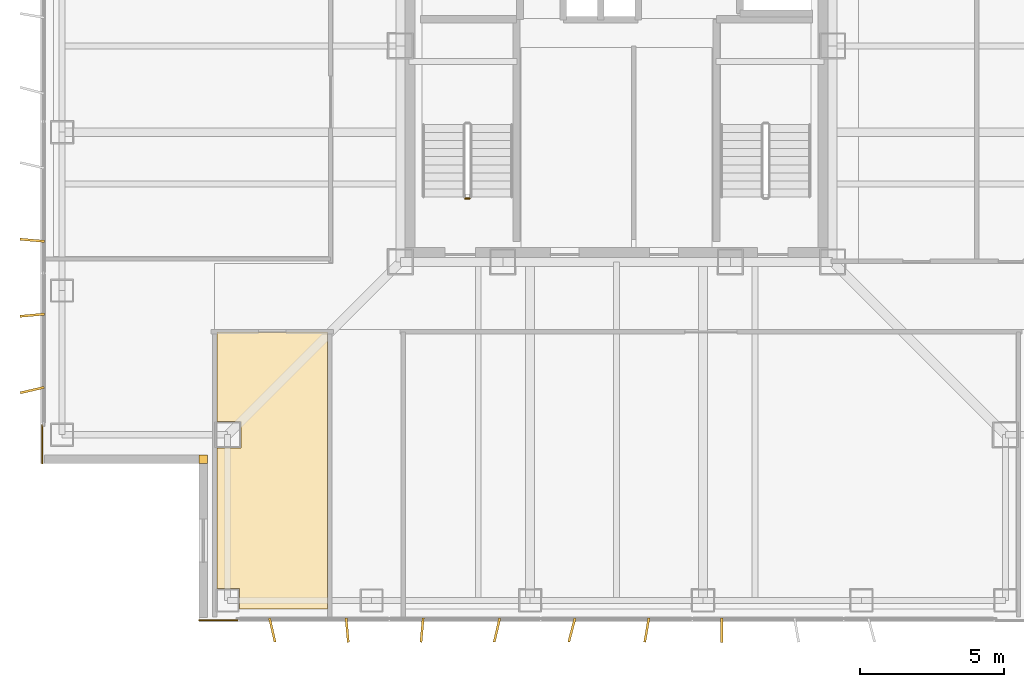
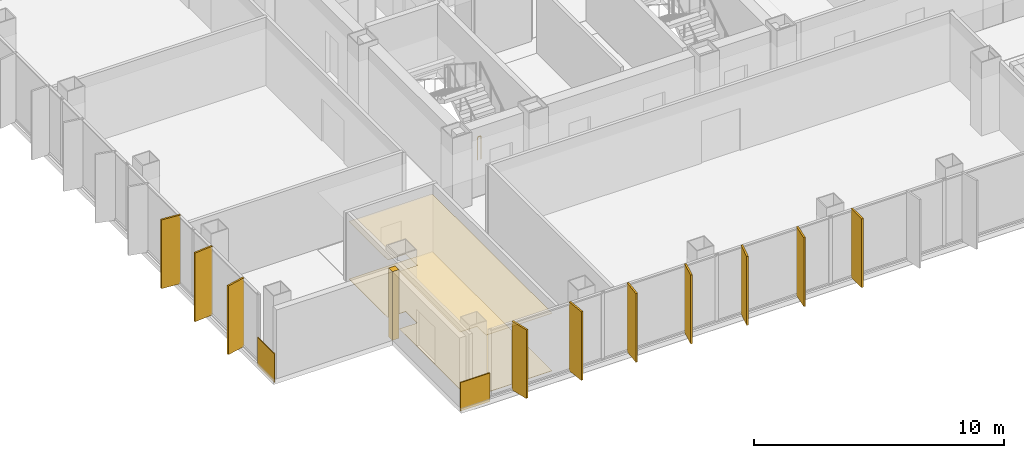
# One storey, part 12 of 17: 10 shading devices, 5 coverings, 1 railing.
"""IFC4 building model written with IfcOpenShell, lengths in metres."""

from ifc_helpers import new_model, si_unit, direction, frame, frame_2d, origin, origin_2d, place, context, subcontext, project, spatial, polyline, rectangle, circle, outline, extrude, material, layer, layer_set, type_object, element, save


model = new_model("IFC4")

# Units and contexts
model_context = context("Model", 3, precision=1e-05, world=origin(), true_north=direction((0.0, 1.0)))
body_context = subcontext(model_context, "Body", "Model", "MODEL_VIEW")
ifc_project = project(units=[si_unit("LENGTHUNIT", "METRE"), si_unit("AREAUNIT", "SQUARE_METRE"), si_unit("VOLUMEUNIT", "CUBIC_METRE"), si_unit("PLANEANGLEUNIT", "RADIAN"), si_unit("MASSUNIT", "GRAM", prefix="KILO")], contexts=[model_context])

# Site, building, storey
site_placement = place(None, origin())
site = spatial("IfcSite", under=ifc_project, at=site_placement, CompositionType="ELEMENT")
building_placement = place(site_placement, origin())
building = spatial("IfcBuilding", under=site, at=building_placement, Name="Trevonay Congress Spire", CompositionType="ELEMENT")
storey_placement = place(building_placement, frame((0.0, 0.0, 184.199951171875)))
storey = spatial("IfcBuildingStorey", under=building, at=storey_placement, Name="L47", CompositionType="ELEMENT", Elevation=184.199951171875)

# Coverings
ifc_material_1 = material(Name="Acoustic Mineral Fibre Board", Category="gypsum")
ifc_layer_1 = layer(ifc_material_1, 0.02490234375, Name="Acoustic Mineral Fibre Board")
ifc_layer_set_1 = layer_set([ifc_layer_1], Name="Acoustic Mineral Fibre Board")
covering_type_1 = type_object("IfcCoveringType", Name="COV-CEIL-ACOUSTIC", PredefinedType="CEILING", material=ifc_layer_set_1)
covering_1_placement = place(storey_placement, frame((0.0, 0.0, 2.81005859375)))
element("IfcCovering", 1, at=covering_1_placement, inside=storey, type_object=covering_type_1, Name="L47 Tribunal Judges Deliberation Room acoustic suspended ceiling", PredefinedType="CEILING", context=body_context, shape_type="SweptSolid", body=[
    extrude(outline(polyline([(-13.8701171875, -9.929931640625), (-10.030029296875, -9.929931640625), (-10.030029296875, -19.550048828125), (-13.090087890625, -19.550048828125), (-13.090087890625, -18.840087890625), (-13.8701171875, -18.840087890625), (-13.8701171875, -13.9599609375), (-13.0400390625, -13.9599609375), (-13.0400390625, -13.0400390625), (-13.8701171875, -13.0400390625), (-13.8701171875, -9.929931640625)])), origin(), (0.0, 0.0, 1.0), 0.02490234375),
])
ifc_material_2 = material(Name="Engineered Oak Flooring", Category="wood")
ifc_layer_2 = layer(ifc_material_2, 0.01806640625, Name="Engineered Oak Flooring")
ifc_layer_set_2 = layer_set([ifc_layer_2], Name="Engineered Oak Flooring")
covering_type_2 = type_object("IfcCoveringType", Name="COV-FLOOR-TIMBER", PredefinedType="FLOORING", material=ifc_layer_set_2)
covering_2_placement = place(storey_placement, origin())
element("IfcCovering", 2, at=covering_2_placement, inside=storey, type_object=covering_type_2, Name="L47 Tribunal Judges Deliberation Room floor finish", PredefinedType="FLOORING", context=body_context, shape_type="SweptSolid", body=[
    extrude(outline(polyline([(-13.8701171875, -9.929931640625), (-10.030029296875, -9.929931640625), (-10.030029296875, -19.550048828125), (-13.090087890625, -19.550048828125), (-13.090087890625, -18.840087890625), (-13.8701171875, -18.840087890625), (-13.8701171875, -13.9599609375), (-13.0400390625, -13.9599609375), (-13.0400390625, -13.0400390625), (-13.8701171875, -13.0400390625), (-13.8701171875, -9.929931640625)])), origin(), (0.0, 0.0, 1.0), 0.01806640625),
])
ifc_material_3 = material(Name="Pale Anodised Aluminium EN AW-6063-T6", Category="aluminium")
ifc_layer_3 = layer(ifc_material_3, 0.0400390625, Name="Pale Anodised Aluminium EN AW-6063-T6")
ifc_layer_set_3 = layer_set([ifc_layer_3], Name="Pale Anodised Aluminium EN AW-6063-T6")
covering_type_3 = type_object("IfcCoveringType", Name="COV-SPANDREL-PALE-METAL", PredefinedType="CLADDING", material=ifc_layer_set_3)
covering_3_placement = place(storey_placement, origin())
element("IfcCovering", 3, at=covering_3_placement, inside=storey, type_object=covering_type_3, Name="L47 SW re-entrant notch corner closure trim", PredefinedType="CLADDING", context=body_context, shape_type="SweptSolid", body=[
    extrude(outline(polyline([(-14.5, -14.5), (-14.199951171875, -14.5), (-14.199951171875, -14.199951171875), (-14.5, -14.199951171875), (-14.5, -14.5)])), origin(), (0.0, 0.0, 1.0), 3.360107421875),
])
for number, where, z_axis, x_axis, name in (
    (4, (-19.93994140625, -13.14990234375, -0.14990234375), (0.0, 0.0, 1.0), (0.0, -1.0, 0.0), "L47 SW corner pier spandrel cladding 1"),
    (5, (-13.14990234375, -19.93994140625, -0.14990234375), (0.0, 0.0, 1.0), (-1.0, 0.0, 0.0), "L47 SW corner pier spandrel cladding 2"),
):
    element("IfcCovering", number, at=place(storey_placement, frame(where, z_axis=z_axis, x_axis=x_axis)), inside=storey, type_object=covering_type_3, Name=name, PredefinedType="CLADDING", context=body_context, shape_type="SweptSolid", body=[
        extrude(rectangle(XDim=1.35009765625, YDim=0.0400390625, at=frame_2d((0.675048828125, 0.0))), origin(), (0.0, 0.0, 1.0), 1.39990234375),
    ])

# Railing
railing_type = type_object("IfcRailingType", Name="RAL-STAIR-GUARD-110", PredefinedType="GUARDRAIL", material=ifc_material_3)
railing_placement = place(storey_placement, frame((-5.10009765625, -5.300048828125, 0.0)))
element("IfcRailing", 6, at=railing_placement, inside=storey, type_object=railing_type, Name="L47 ST-1 stair guard 4", PredefinedType="GUARDRAIL", context=body_context, shape_type="SweptSolid", body=[
    extrude(circle(Radius=0.02392578125, at=origin_2d()), frame((0.0, 0.0, 1.1259765625), z_axis=(-1.0, 0.0, 0.0), x_axis=(0.0, -1.0, 0.0)), (0.0, 0.0, 1.0), 0.14990234375),
    extrude(circle(Radius=0.02099609375, at=origin_2d()), origin(), (0.0, 0.0, 1.0), 1.101806640625),
    extrude(circle(Radius=0.02099609375, at=origin_2d()), frame((-0.14990234375, 0.0, 0.0)), (0.0, 0.0, 1.0), 1.101806640625),
])

# Shading devices
shading_device_type = type_object("IfcShadingDeviceType", Name="SHD-FIN-Z3-PALE-METAL", PredefinedType="USERDEFINED", material=ifc_material_3)
for number, where, z_axis, x_axis, name in (
    (7, (-11.949951171875, -20.280029296875, 0.0), (0.0, 0.0, 1.0), (0.97440931131, 0.224780991261, 0.0), "L47 S vertical pale-metal solar fin 1"),
    (8, (-9.35009765625, -20.280029296875, 0.0), (0.0, 0.0, 1.0), (0.995994383933, 0.089415810539, 0.0), "L47 S vertical pale-metal solar fin 2"),
    (9, (-6.75, -20.280029296875, 0.0), (0.0, 0.0, 1.0), (0.995994383933, -0.089415810539, 0.0), "L47 S vertical pale-metal solar fin 3"),
    (10, (-4.14990234375, -20.280029296875, 0.0), (0.0, 0.0, 1.0), (0.97440931131, -0.224780991261, 0.0), "L47 S vertical pale-metal solar fin 4"),
    (11, (-1.550048828125, -20.280029296875, 0.0), (0.0, 0.0, 1.0), (0.966957007154, -0.2549394954, 0.0), "L47 S vertical pale-metal solar fin 5"),
    (12, (1.050048828125, -20.280029296875, 0.0), (0.0, 0.0, 1.0), (0.98587937025, -0.16745706111, 0.0), "L47 S vertical pale-metal solar fin 6"),
    (13, (3.64990234375, -20.280029296875, 0.0), (0.0, 0.0, 1.0), (1.0, 0.0, 0.0), "L47 S vertical pale-metal solar fin 7"),
    (14, (-20.280029296875, -11.949951171875, 0.0), (0.0, 0.0, 1.0), (-0.224780991261, 0.97440931131, 0.0), "L47 W vertical pale-metal solar fin 1"),
    (15, (-20.280029296875, -9.35009765625, 0.0), (0.0, 0.0, 1.0), (-0.089415810539, 0.995994383933, 0.0), "L47 W vertical pale-metal solar fin 2"),
    (16, (-20.280029296875, -6.75, 0.0), (0.0, 0.0, 1.0), (0.089415810539, 0.995994383933, 0.0), "L47 W vertical pale-metal solar fin 3"),
):
    element("IfcShadingDevice", number, at=place(storey_placement, frame(where, z_axis=z_axis, x_axis=x_axis)), inside=storey, type_object=shading_device_type, Name=name, ObjectType="SOLAR FIN", PredefinedType="USERDEFINED", context=body_context, shape_type="SweptSolid", body=[
        extrude(rectangle(XDim=0.080078125, YDim=0.85009765625, at=origin_2d()), origin(), (0.0, 0.0, 1.0), 3.360107421875),
    ])

save(model, "model.ifc")
